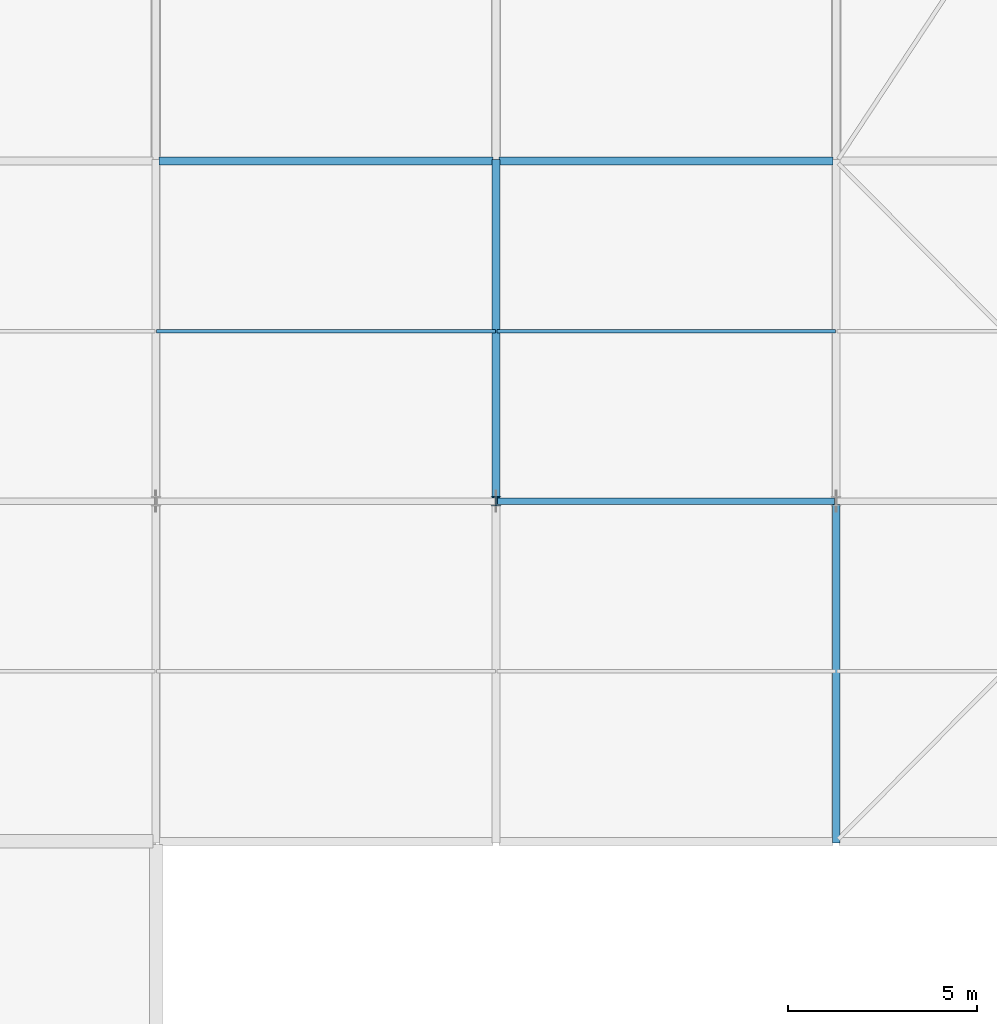
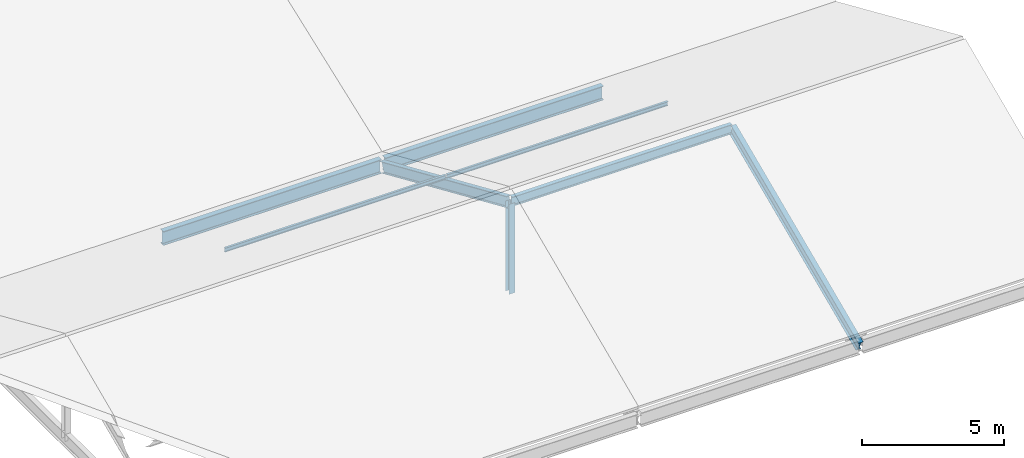
# One storey, part 25 of 163: 6 members, 2 beams.
"""IFC4 building model written with IfcOpenShell, lengths in metres."""

from ifc_helpers import new_model, si_unit, direction, frame, origin, origin_2d, place, context, subcontext, project, spatial, i_section, extrude, material, material_profile, profile_set, type_object, element, save


model = new_model("IFC4")

# Units and contexts
model_context = context("Model", 3, precision=1e-05, world=origin(), true_north=direction((0.0, 1.0)))
body_context = subcontext(model_context, "Body", "Model", "MODEL_VIEW")
ifc_project = project(units=[si_unit("LENGTHUNIT", "METRE"), si_unit("AREAUNIT", "SQUARE_METRE"), si_unit("VOLUMEUNIT", "CUBIC_METRE"), si_unit("PLANEANGLEUNIT", "RADIAN"), si_unit("MASSUNIT", "GRAM", prefix="KILO")], contexts=[model_context])

# Site, building, storey
site_placement = place(None, origin())
site = spatial("IfcSite", under=ifc_project, at=site_placement, CompositionType="ELEMENT")
building_placement = place(site_placement, origin())
building = spatial("IfcBuilding", under=site, at=building_placement, Name="Tharagai Park Tramway Depot", CompositionType="ELEMENT")
storey_placement = place(building_placement, frame((0.0, 0.0, 8.39990234375)))
storey = spatial("IfcBuildingStorey", under=building, at=storey_placement, Name="L02", CompositionType="ELEMENT", Elevation=8.39990234375)

# Beams
ifc_material_1 = material(Name="Steel E350", Category="steel")
ifc_material_profile_1 = material_profile(ifc_material_1, i_section(OverallWidth=0.2099609375, OverallDepth=0.60009765625, WebThickness=0.011962890625, FlangeThickness=0.020751953125, FilletRadius=0.02001953125, at=origin_2d()), Name="ISMB 600")
ifc_profile_set_1 = profile_set([ifc_material_profile_1], Name="Steel E350")
beam_type = type_object("IfcBeamType", Name="BM-10", PredefinedType="BEAM", material=ifc_profile_set_1)
for number, where, z_axis, x_axis, name in (
    (1, (63.080078125, 63.0, -0.5498046875), (1.0, 0.0, 0.0), (0.0, 1.0, 0.0), "V2A Roof Eave Girder BM-10"),
    (2, (72.080078125, 63.0, -0.5498046875), (1.0, 0.0, 0.0), (0.0, 1.0, 0.0), "V2A Roof Eave Girder BM-10"),
):
    element("IfcBeam", number, at=place(storey_placement, frame(where, z_axis=z_axis, x_axis=x_axis)), inside=storey, type_object=beam_type, Name=name, PredefinedType="BEAM", context=body_context, shape_type="SweptSolid", body=[
        extrude(i_section(OverallWidth=0.2099609375, OverallDepth=0.60009765625, WebThickness=0.011962890625, FlangeThickness=0.020751953125, FilletRadius=0.02001953125, at=origin_2d()), origin(), (0.0, 0.0, 1.0), 8.83984375),
    ])

# Members
ifc_material_profile_2 = material_profile(ifc_material_1, i_section(OverallWidth=0.25, OverallDepth=0.25, WebThickness=0.0087890625, FlangeThickness=0.009765625, FilletRadius=0.010009765625, at=origin_2d()), Name="ISHB 250")
ifc_profile_set_2 = profile_set([ifc_material_profile_2], Name="Steel E350")
member_type_1 = type_object("IfcMemberType", Name="BR-01", PredefinedType="BRACE", material=ifc_profile_set_2)
member_1_placement = place(storey_placement, frame((72.0, 54.0, -0.5498046875), z_axis=(0.0, 0.0, 1.0), x_axis=(1.0, 0.0, 0.0)))
element("IfcMember", 3, at=member_1_placement, inside=storey, type_object=member_type_1, Name="V2A Gable King Strut BR-01", PredefinedType="BRACE", context=body_context, shape_type="SweptSolid", body=[
    extrude(i_section(OverallWidth=0.25, OverallDepth=0.25, WebThickness=0.0087890625, FlangeThickness=0.009765625, FilletRadius=0.010009765625, at=origin_2d()), origin(), (0.0, 0.0, 1.0), 3.85791015625),
])
ifc_material_2 = material(Name="Steel E250", Category="steel")
ifc_material_profile_3 = material_profile(ifc_material_2, i_section(OverallWidth=0.090087890625, OverallDepth=0.175048828125, WebThickness=0.005615234375, FlangeThickness=0.009033203125, FilletRadius=0.010009765625, at=origin_2d()), Name="ISMB 175")
ifc_profile_set_3 = profile_set([ifc_material_profile_3], Name="Steel E250")
member_type_2 = type_object("IfcMemberType", Name="PR-01", PredefinedType="PURLIN", material=ifc_profile_set_3)
for number, where, z_axis, x_axis, name in (
    (4, (63.02001953125, 58.5, 1.6689453125), (1.0, 0.0, 0.0), (0.0, 1.0, 0.0), "V2A Roof Purlin PR-01"),
    (5, (72.02001953125, 58.5, 1.6689453125), (1.0, 0.0, 0.0), (0.0, 1.0, 0.0), "V2A Roof Purlin PR-01"),
):
    element("IfcMember", number, at=place(storey_placement, frame(where, z_axis=z_axis, x_axis=x_axis)), inside=storey, type_object=member_type_2, Name=name, PredefinedType="PURLIN", context=body_context, shape_type="SweptSolid", body=[
        extrude(i_section(OverallWidth=0.090087890625, OverallDepth=0.175048828125, WebThickness=0.005615234375, FlangeThickness=0.009033203125, FilletRadius=0.010009765625, at=origin_2d()), origin(), (0.0, 0.0, 1.0), 8.9599609375),
    ])
ifc_material_profile_4 = material_profile(ifc_material_1, i_section(OverallWidth=0.199951171875, OverallDepth=0.449951171875, WebThickness=0.00927734375, FlangeThickness=0.015380859375, FilletRadius=0.014892578125, at=origin_2d()), Name="ISWB 450")
ifc_profile_set_4 = profile_set([ifc_material_profile_4], Name="Steel E350")
member_type_3 = type_object("IfcMemberType", Name="RF-03", PredefinedType="RAFTER", material=ifc_profile_set_4)
for number, where, z_axis, x_axis, name in (
    (6, (72.0, 54.0, 3.30810546875), (0.0, 0.916242784214, -0.400623464584), (-1.0, 0.0, 0.0), "V2A Pitched Rafter RF-03 North"),
    (7, (81.0, 45.050048828125, -0.605224609375), (0.0, 0.916242784214, 0.400623464584), (-1.0, 0.0, 0.0), "V2A Pitched Rafter RF-03 South"),
):
    element("IfcMember", number, at=place(storey_placement, frame(where, z_axis=z_axis, x_axis=x_axis)), inside=storey, type_object=member_type_3, Name=name, PredefinedType="RAFTER", context=body_context, shape_type="SweptSolid", body=[
        extrude(i_section(OverallWidth=0.199951171875, OverallDepth=0.449951171875, WebThickness=0.00927734375, FlangeThickness=0.015380859375, FilletRadius=0.014892578125, at=origin_2d()), origin(), (0.0, 0.0, 1.0), 9.76806640625),
    ])
ifc_material_profile_5 = material_profile(ifc_material_1, i_section(OverallWidth=0.1650390625, OverallDepth=0.39990234375, WebThickness=0.008056640625, FlangeThickness=0.012451171875, FilletRadius=0.013916015625, at=origin_2d()), Name="ISLB 400")
ifc_profile_set_5 = profile_set([ifc_material_profile_5], Name="Steel E350")
member_type_4 = type_object("IfcMemberType", Name="TC-04", PredefinedType="CHORD", material=ifc_profile_set_5)
member_2_placement = place(storey_placement, frame((72.0400390625, 54.0, 3.3330078125), z_axis=(1.0, 0.0, 0.0), x_axis=(0.0, 1.0, 0.0)))
element("IfcMember", 8, at=member_2_placement, inside=storey, type_object=member_type_4, Name="V2A Roof Ridge Chord TC-04", PredefinedType="CHORD", context=body_context, shape_type="SweptSolid", body=[
    extrude(i_section(OverallWidth=0.1650390625, OverallDepth=0.39990234375, WebThickness=0.008056640625, FlangeThickness=0.012451171875, FilletRadius=0.013916015625, at=origin_2d()), origin(), (0.0, 0.0, 1.0), 8.919921875),
])

save(model, "model.ifc")
